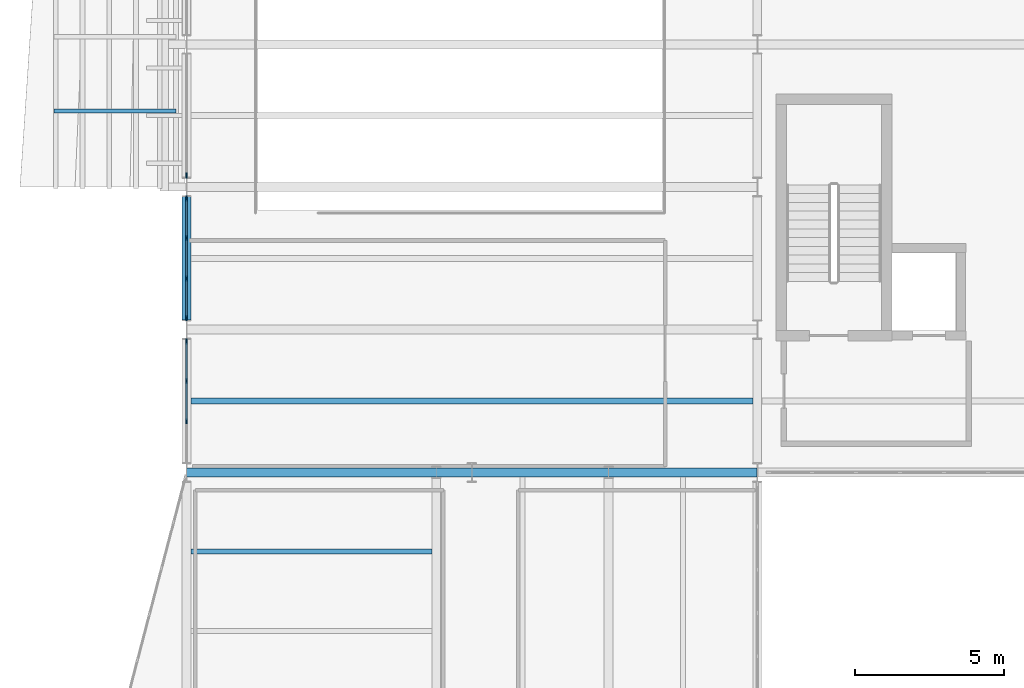
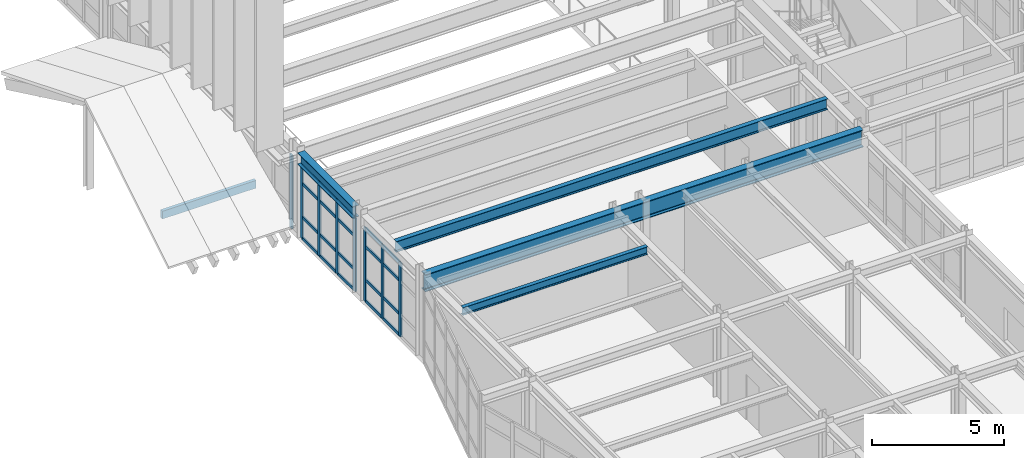
# One storey, part 37 of 99: 29 members, 4 beams, 3 elements without a shape of their own.
"""IFC4 building model written with IfcOpenShell, lengths in metres."""

from ifc_helpers import new_model, si_unit, direction, frame, origin, origin_2d, place, context, subcontext, project, spatial, rectangle, i_section, extrude, material, layer, layer_set, material_profile, profile_set, type_object, element, aggregate, save


model = new_model("IFC4")

# Units and contexts
model_context = context("Model", 3, precision=1e-05, world=origin(), true_north=direction((0.0, 1.0)))
body_context = subcontext(model_context, "Body", "Model", "MODEL_VIEW")
ifc_project = project(units=[si_unit("LENGTHUNIT", "METRE"), si_unit("AREAUNIT", "SQUARE_METRE"), si_unit("VOLUMEUNIT", "CUBIC_METRE"), si_unit("PLANEANGLEUNIT", "RADIAN"), si_unit("MASSUNIT", "GRAM", prefix="KILO")], contexts=[model_context])

# Site, building, storey
site_placement = place(None, origin())
site = spatial("IfcSite", under=ifc_project, at=site_placement, CompositionType="ELEMENT")
building_placement = place(site_placement, origin())
building = spatial("IfcBuilding", under=site, at=building_placement, Name="Nordkorset Police Headquarters", CompositionType="ELEMENT")
storey_placement = place(building_placement, frame((0.0, 0.0, 5.25)))
storey = spatial("IfcBuildingStorey", under=building, at=storey_placement, Name="L01", CompositionType="ELEMENT", Elevation=5.25)

# Beams
ifc_material_1 = material(Name="Steel S355J2", Category="steel")
ifc_material_profile_1 = material_profile(ifc_material_1, i_section(OverallWidth=0.169921875, OverallDepth=0.360107421875, WebThickness=0.008056640625, FlangeThickness=0.0126953125, FilletRadius=0.01806640625, at=origin_2d()), Name="IPE 360")
ifc_profile_set_1 = profile_set([ifc_material_profile_1], Name="Steel S355J2")
beam_type_1 = type_object("IfcBeamType", Name="Beam_IPE_360", PredefinedType="BEAM", material=ifc_profile_set_1)
beam_1_placement = place(storey_placement, frame((0.14990234375, 80.533447265625, 3.780029296875), z_axis=(1.0, 0.0, 0.0), x_axis=(0.0, 1.0, 0.0)))
element("IfcBeam", 1, at=beam_1_placement, inside=storey, type_object=beam_type_1, Name="Composite Floor Beam V3 L01 0-5-2", PredefinedType="BEAM", context=body_context, shape_type="SweptSolid", body=[
    extrude(i_section(OverallWidth=0.169921875, OverallDepth=0.360107421875, WebThickness=0.008056640625, FlangeThickness=0.0126953125, FilletRadius=0.01806640625, at=origin_2d()), origin(), (0.0, 0.0, 1.0), 8.10009765625),
])
ifc_material_2 = material(Name="Steel S355J2", Category="steel")
ifc_material_profile_2 = material_profile(ifc_material_2, i_section(OverallWidth=0.199951171875, OverallDepth=0.5, WebThickness=0.01025390625, FlangeThickness=0.01611328125, FilletRadius=0.02099609375, at=origin_2d()), Name="IPE 500")
ifc_profile_set_2 = profile_set([ifc_material_profile_2], Name="Steel S355J2")
beam_type_2 = type_object("IfcBeamType", Name="Beam_IPE_500", PredefinedType="BEAM", material=ifc_profile_set_2)
beam_2_placement = place(storey_placement, frame((0.14990234375, 85.60009765625, 3.7099609375), z_axis=(1.0, 0.0, 0.0), x_axis=(0.0, 1.0, 0.0)))
element("IfcBeam", 2, at=beam_2_placement, inside=storey, type_object=beam_type_2, Name="Composite Floor Beam V1 L01 0-0-1", PredefinedType="BEAM", context=body_context, shape_type="SweptSolid", body=[
    extrude(i_section(OverallWidth=0.199951171875, OverallDepth=0.5, WebThickness=0.01025390625, FlangeThickness=0.01611328125, FilletRadius=0.02099609375, at=origin_2d()), origin(), (0.0, 0.0, 1.0), 18.900146484375),
])

# Curtain wall, members
ifc_material_3 = material(Name="Aluminium alloy AW-6060", Category="aluminium")
ifc_layer = layer(ifc_material_3, 0.179931640625, Name="Aluminium alloy AW-6060")
ifc_layer_set = layer_set([ifc_layer], Name="Aluminium alloy AW-6060")
curtain_wall_type = type_object("IfcCurtainWallType", Name="CW_Unit_408x340", PredefinedType="USERDEFINED", material=ifc_layer_set)
curtain_wall_1_placement = place(storey_placement, origin())
curtain_wall_1 = element("IfcCurtainWall", 3, at=curtain_wall_1_placement, inside=storey, type_object=curtain_wall_type, Name="Unitised Curtain Wall L01 V1W-0", ObjectType="UNITISED CURTAIN WALL", PredefinedType="USERDEFINED")
ifc_material_4 = material(Name="Aluminium alloy AW-6060", Category="aluminium")
ifc_material_profile_3 = material_profile(ifc_material_4, rectangle(XDim=0.06494140625, YDim=0.179931640625, at=origin_2d()), Name="ALU MULL 65x180")
ifc_profile_set_3 = profile_set([ifc_material_profile_3], Name="Aluminium alloy AW-6060")
member_type_1 = type_object("IfcMemberType", Name="CW_Mullion_65x180", PredefinedType="MULLION", material=ifc_profile_set_3)
member_1_placement = place(storey_placement, frame((0.0, 84.919921875, 0.0), z_axis=(0.0, 0.0, 1.0), x_axis=(-1.0, 0.0, 0.0)))
member_1 = element("IfcMember", 4, at=member_1_placement, type_object=member_type_1, Name="CW-75 mullion 2", PredefinedType="MULLION", context=body_context, shape_type="SweptSolid", body=[
    extrude(rectangle(XDim=0.06494140625, YDim=0.179931640625, at=origin_2d()), origin(), (0.0, 0.0, 1.0), 3.39990234375),
])
member_2_placement = place(storey_placement, frame((0.0, 86.280029296875, 0.0), z_axis=(0.0, 0.0, 1.0), x_axis=(-1.0, 0.0, 0.0)))
member_2 = element("IfcMember", 5, at=member_2_placement, type_object=member_type_1, Name="CW-75 mullion 3", PredefinedType="MULLION", context=body_context, shape_type="SweptSolid", body=[
    extrude(rectangle(XDim=0.06494140625, YDim=0.179931640625, at=origin_2d()), origin(), (0.0, 0.0, 1.0), 3.39990234375),
])
member_3_placement = place(storey_placement, frame((0.0, 87.607421875, 0.0), z_axis=(0.0, 0.0, 1.0), x_axis=(-1.0, 0.0, 0.0)))
member_3 = element("IfcMember", 6, at=member_3_placement, type_object=member_type_1, Name="CW-75 mullion 4", PredefinedType="MULLION", context=body_context, shape_type="SweptSolid", body=[
    extrude(rectangle(XDim=0.06494140625, YDim=0.179931640625, at=origin_2d()), origin(), (0.0, 0.0, 1.0), 3.39990234375),
])

curtain_wall_2_placement = place(storey_placement, origin())
curtain_wall_2 = element("IfcCurtainWall", 7, at=curtain_wall_2_placement, inside=storey, type_object=curtain_wall_type, Name="Unitised Curtain Wall L01 V1W-1", ObjectType="UNITISED CURTAIN WALL", PredefinedType="USERDEFINED")
member_4_placement = place(storey_placement, frame((0.0, 88.392578125, 0.0), z_axis=(0.0, 0.0, 1.0), x_axis=(-1.0, 0.0, 0.0)))
member_4 = element("IfcMember", 8, at=member_4_placement, type_object=member_type_1, Name="CW-75 mullion 1", PredefinedType="MULLION", context=body_context, shape_type="SweptSolid", body=[
    extrude(rectangle(XDim=0.06494140625, YDim=0.179931640625, at=origin_2d()), origin(), (0.0, 0.0, 1.0), 3.39990234375),
])
member_5_placement = place(storey_placement, frame((0.0, 89.719970703125, 0.0), z_axis=(0.0, 0.0, 1.0), x_axis=(-1.0, 0.0, 0.0)))
member_5 = element("IfcMember", 9, at=member_5_placement, type_object=member_type_1, Name="CW-75 mullion 2", PredefinedType="MULLION", context=body_context, shape_type="SweptSolid", body=[
    extrude(rectangle(XDim=0.06494140625, YDim=0.179931640625, at=origin_2d()), origin(), (0.0, 0.0, 1.0), 3.39990234375),
])
member_6_placement = place(storey_placement, frame((0.0, 91.080078125, 0.0), z_axis=(0.0, 0.0, 1.0), x_axis=(-1.0, 0.0, 0.0)))
member_6 = element("IfcMember", 10, at=member_6_placement, type_object=member_type_1, Name="CW-75 mullion 3", PredefinedType="MULLION", context=body_context, shape_type="SweptSolid", body=[
    extrude(rectangle(XDim=0.06494140625, YDim=0.179931640625, at=origin_2d()), origin(), (0.0, 0.0, 1.0), 3.39990234375),
])
member_7_placement = place(storey_placement, frame((0.0, 92.407470703125, 0.0), z_axis=(0.0, 0.0, 1.0), x_axis=(-1.0, 0.0, 0.0)))
member_7 = element("IfcMember", 11, at=member_7_placement, type_object=member_type_1, Name="CW-75 mullion 4", PredefinedType="MULLION", context=body_context, shape_type="SweptSolid", body=[
    extrude(rectangle(XDim=0.06494140625, YDim=0.179931640625, at=origin_2d()), origin(), (0.0, 0.0, 1.0), 3.39990234375),
])

# Curtain wall, member
curtain_wall_3_placement = place(storey_placement, origin())
curtain_wall_3 = element("IfcCurtainWall", 12, at=curtain_wall_3_placement, inside=storey, type_object=curtain_wall_type, Name="Unitised Curtain Wall L01 V1W-2", ObjectType="UNITISED CURTAIN WALL", PredefinedType="USERDEFINED")
member_8_placement = place(storey_placement, frame((0.0, 93.1923828125, 0.0), z_axis=(0.0, 0.0, 1.0), x_axis=(-1.0, 0.0, 0.0)))
member_8 = element("IfcMember", 13, at=member_8_placement, type_object=member_type_1, Name="CW-75 mullion 1", PredefinedType="MULLION", context=body_context, shape_type="SweptSolid", body=[
    extrude(rectangle(XDim=0.06494140625, YDim=0.179931640625, at=origin_2d()), origin(), (0.0, 0.0, 1.0), 3.39990234375),
])
aggregate(curtain_wall_3, [member_8])

# Member
ifc_material_5 = material(Name="Aluminium alloy AW-6060", Category="aluminium")
ifc_material_profile_4 = material_profile(ifc_material_5, rectangle(XDim=0.06494140625, YDim=0.139892578125, at=origin_2d()), Name="ALU TRAN 65x140")
ifc_profile_set_4 = profile_set([ifc_material_profile_4], Name="Aluminium alloy AW-6060")
member_type_2 = type_object("IfcMemberType", Name="CW_Transom_65x140", PredefinedType="USERDEFINED", material=ifc_profile_set_4)
member_9_placement = place(storey_placement, frame((0.0, 84.952392578125, 0.032470703125), z_axis=(0.0, 1.0, 0.0), x_axis=(-1.0, 0.0, 0.0)))
member_9 = element("IfcMember", 14, at=member_9_placement, type_object=member_type_2, Name="CW-75 transom 2.1", ObjectType="TRANSOM", PredefinedType="USERDEFINED", context=body_context, shape_type="SweptSolid", body=[
    extrude(rectangle(XDim=0.06494140625, YDim=0.139892578125, at=origin_2d()), origin(), (0.0, 0.0, 1.0), 1.295166015625),
])

member_10_placement = place(storey_placement, frame((0.0, 84.952392578125, 1.0), z_axis=(0.0, 1.0, 0.0), x_axis=(-1.0, 0.0, 0.0)))
member_10 = element("IfcMember", 15, at=member_10_placement, type_object=member_type_2, Name="CW-75 transom 2.2", ObjectType="TRANSOM", PredefinedType="USERDEFINED", context=body_context, shape_type="SweptSolid", body=[
    extrude(rectangle(XDim=0.06494140625, YDim=0.139892578125, at=origin_2d()), origin(), (0.0, 0.0, 1.0), 1.295166015625),
])

member_11_placement = place(storey_placement, frame((0.0, 84.952392578125, 2.550048828125), z_axis=(0.0, 1.0, 0.0), x_axis=(-1.0, 0.0, 0.0)))
member_11 = element("IfcMember", 16, at=member_11_placement, type_object=member_type_2, Name="CW-75 transom 2.3", ObjectType="TRANSOM", PredefinedType="USERDEFINED", context=body_context, shape_type="SweptSolid", body=[
    extrude(rectangle(XDim=0.06494140625, YDim=0.139892578125, at=origin_2d()), origin(), (0.0, 0.0, 1.0), 1.295166015625),
])

member_12_placement = place(storey_placement, frame((0.0, 84.952392578125, 3.367431640625), z_axis=(0.0, 1.0, 0.0), x_axis=(-1.0, 0.0, 0.0)))
member_12 = element("IfcMember", 17, at=member_12_placement, type_object=member_type_2, Name="CW-75 transom 2.4", ObjectType="TRANSOM", PredefinedType="USERDEFINED", context=body_context, shape_type="SweptSolid", body=[
    extrude(rectangle(XDim=0.06494140625, YDim=0.139892578125, at=origin_2d()), origin(), (0.0, 0.0, 1.0), 1.295166015625),
])

member_13_placement = place(storey_placement, frame((0.0, 86.3125, 0.032470703125), z_axis=(0.0, 1.0, 0.0), x_axis=(-1.0, 0.0, 0.0)))
member_13 = element("IfcMember", 18, at=member_13_placement, type_object=member_type_2, Name="CW-75 transom 3.1", ObjectType="TRANSOM", PredefinedType="USERDEFINED", context=body_context, shape_type="SweptSolid", body=[
    extrude(rectangle(XDim=0.06494140625, YDim=0.139892578125, at=origin_2d()), origin(), (0.0, 0.0, 1.0), 1.262451171875),
])

member_14_placement = place(storey_placement, frame((0.0, 86.3125, 1.0), z_axis=(0.0, 1.0, 0.0), x_axis=(-1.0, 0.0, 0.0)))
member_14 = element("IfcMember", 19, at=member_14_placement, type_object=member_type_2, Name="CW-75 transom 3.2", ObjectType="TRANSOM", PredefinedType="USERDEFINED", context=body_context, shape_type="SweptSolid", body=[
    extrude(rectangle(XDim=0.06494140625, YDim=0.139892578125, at=origin_2d()), origin(), (0.0, 0.0, 1.0), 1.262451171875),
])

member_15_placement = place(storey_placement, frame((0.0, 86.3125, 2.550048828125), z_axis=(0.0, 1.0, 0.0), x_axis=(-1.0, 0.0, 0.0)))
member_15 = element("IfcMember", 20, at=member_15_placement, type_object=member_type_2, Name="CW-75 transom 3.3", ObjectType="TRANSOM", PredefinedType="USERDEFINED", context=body_context, shape_type="SweptSolid", body=[
    extrude(rectangle(XDim=0.06494140625, YDim=0.139892578125, at=origin_2d()), origin(), (0.0, 0.0, 1.0), 1.262451171875),
])

member_16_placement = place(storey_placement, frame((0.0, 86.3125, 3.367431640625), z_axis=(0.0, 1.0, 0.0), x_axis=(-1.0, 0.0, 0.0)))
member_16 = element("IfcMember", 21, at=member_16_placement, type_object=member_type_2, Name="CW-75 transom 3.4", ObjectType="TRANSOM", PredefinedType="USERDEFINED", context=body_context, shape_type="SweptSolid", body=[
    extrude(rectangle(XDim=0.06494140625, YDim=0.139892578125, at=origin_2d()), origin(), (0.0, 0.0, 1.0), 1.262451171875),
])

aggregate(curtain_wall_1, [member_1, member_2, member_3, member_9, member_10, member_11, member_12, member_13, member_14, member_15, member_16])

member_17_placement = place(storey_placement, frame((0.0, 88.425048828125, 0.032470703125), z_axis=(0.0, 1.0, 0.0), x_axis=(-1.0, 0.0, 0.0)))
member_17 = element("IfcMember", 22, at=member_17_placement, type_object=member_type_2, Name="CW-75 transom 1.1", ObjectType="TRANSOM", PredefinedType="USERDEFINED", context=body_context, shape_type="SweptSolid", body=[
    extrude(rectangle(XDim=0.06494140625, YDim=0.139892578125, at=origin_2d()), origin(), (0.0, 0.0, 1.0), 1.262451171875),
])

member_18_placement = place(storey_placement, frame((0.0, 88.425048828125, 1.0), z_axis=(0.0, 1.0, 0.0), x_axis=(-1.0, 0.0, 0.0)))
member_18 = element("IfcMember", 23, at=member_18_placement, type_object=member_type_2, Name="CW-75 transom 1.2", ObjectType="TRANSOM", PredefinedType="USERDEFINED", context=body_context, shape_type="SweptSolid", body=[
    extrude(rectangle(XDim=0.06494140625, YDim=0.139892578125, at=origin_2d()), origin(), (0.0, 0.0, 1.0), 1.262451171875),
])

member_19_placement = place(storey_placement, frame((0.0, 88.425048828125, 2.550048828125), z_axis=(0.0, 1.0, 0.0), x_axis=(-1.0, 0.0, 0.0)))
member_19 = element("IfcMember", 24, at=member_19_placement, type_object=member_type_2, Name="CW-75 transom 1.3", ObjectType="TRANSOM", PredefinedType="USERDEFINED", context=body_context, shape_type="SweptSolid", body=[
    extrude(rectangle(XDim=0.06494140625, YDim=0.139892578125, at=origin_2d()), origin(), (0.0, 0.0, 1.0), 1.262451171875),
])

member_20_placement = place(storey_placement, frame((0.0, 88.425048828125, 3.367431640625), z_axis=(0.0, 1.0, 0.0), x_axis=(-1.0, 0.0, 0.0)))
member_20 = element("IfcMember", 25, at=member_20_placement, type_object=member_type_2, Name="CW-75 transom 1.4", ObjectType="TRANSOM", PredefinedType="USERDEFINED", context=body_context, shape_type="SweptSolid", body=[
    extrude(rectangle(XDim=0.06494140625, YDim=0.139892578125, at=origin_2d()), origin(), (0.0, 0.0, 1.0), 1.262451171875),
])

member_21_placement = place(storey_placement, frame((0.0, 89.75244140625, 0.032470703125), z_axis=(0.0, 1.0, 0.0), x_axis=(-1.0, 0.0, 0.0)))
member_21 = element("IfcMember", 26, at=member_21_placement, type_object=member_type_2, Name="CW-75 transom 2.1", ObjectType="TRANSOM", PredefinedType="USERDEFINED", context=body_context, shape_type="SweptSolid", body=[
    extrude(rectangle(XDim=0.06494140625, YDim=0.139892578125, at=origin_2d()), origin(), (0.0, 0.0, 1.0), 1.295166015625),
])

member_22_placement = place(storey_placement, frame((0.0, 89.75244140625, 1.0), z_axis=(0.0, 1.0, 0.0), x_axis=(-1.0, 0.0, 0.0)))
member_22 = element("IfcMember", 27, at=member_22_placement, type_object=member_type_2, Name="CW-75 transom 2.2", ObjectType="TRANSOM", PredefinedType="USERDEFINED", context=body_context, shape_type="SweptSolid", body=[
    extrude(rectangle(XDim=0.06494140625, YDim=0.139892578125, at=origin_2d()), origin(), (0.0, 0.0, 1.0), 1.295166015625),
])

member_23_placement = place(storey_placement, frame((0.0, 89.75244140625, 2.550048828125), z_axis=(0.0, 1.0, 0.0), x_axis=(-1.0, 0.0, 0.0)))
member_23 = element("IfcMember", 28, at=member_23_placement, type_object=member_type_2, Name="CW-75 transom 2.3", ObjectType="TRANSOM", PredefinedType="USERDEFINED", context=body_context, shape_type="SweptSolid", body=[
    extrude(rectangle(XDim=0.06494140625, YDim=0.139892578125, at=origin_2d()), origin(), (0.0, 0.0, 1.0), 1.295166015625),
])

member_24_placement = place(storey_placement, frame((0.0, 89.75244140625, 3.367431640625), z_axis=(0.0, 1.0, 0.0), x_axis=(-1.0, 0.0, 0.0)))
member_24 = element("IfcMember", 29, at=member_24_placement, type_object=member_type_2, Name="CW-75 transom 2.4", ObjectType="TRANSOM", PredefinedType="USERDEFINED", context=body_context, shape_type="SweptSolid", body=[
    extrude(rectangle(XDim=0.06494140625, YDim=0.139892578125, at=origin_2d()), origin(), (0.0, 0.0, 1.0), 1.295166015625),
])

member_25_placement = place(storey_placement, frame((0.0, 91.112548828125, 0.032470703125), z_axis=(0.0, 1.0, 0.0), x_axis=(-1.0, 0.0, 0.0)))
member_25 = element("IfcMember", 30, at=member_25_placement, type_object=member_type_2, Name="CW-75 transom 3.1", ObjectType="TRANSOM", PredefinedType="USERDEFINED", context=body_context, shape_type="SweptSolid", body=[
    extrude(rectangle(XDim=0.06494140625, YDim=0.139892578125, at=origin_2d()), origin(), (0.0, 0.0, 1.0), 1.262451171875),
])

member_26_placement = place(storey_placement, frame((0.0, 91.112548828125, 1.0), z_axis=(0.0, 1.0, 0.0), x_axis=(-1.0, 0.0, 0.0)))
member_26 = element("IfcMember", 31, at=member_26_placement, type_object=member_type_2, Name="CW-75 transom 3.2", ObjectType="TRANSOM", PredefinedType="USERDEFINED", context=body_context, shape_type="SweptSolid", body=[
    extrude(rectangle(XDim=0.06494140625, YDim=0.139892578125, at=origin_2d()), origin(), (0.0, 0.0, 1.0), 1.262451171875),
])

member_27_placement = place(storey_placement, frame((0.0, 91.112548828125, 2.550048828125), z_axis=(0.0, 1.0, 0.0), x_axis=(-1.0, 0.0, 0.0)))
member_27 = element("IfcMember", 32, at=member_27_placement, type_object=member_type_2, Name="CW-75 transom 3.3", ObjectType="TRANSOM", PredefinedType="USERDEFINED", context=body_context, shape_type="SweptSolid", body=[
    extrude(rectangle(XDim=0.06494140625, YDim=0.139892578125, at=origin_2d()), origin(), (0.0, 0.0, 1.0), 1.262451171875),
])

member_28_placement = place(storey_placement, frame((0.0, 91.112548828125, 3.367431640625), z_axis=(0.0, 1.0, 0.0), x_axis=(-1.0, 0.0, 0.0)))
member_28 = element("IfcMember", 33, at=member_28_placement, type_object=member_type_2, Name="CW-75 transom 3.4", ObjectType="TRANSOM", PredefinedType="USERDEFINED", context=body_context, shape_type="SweptSolid", body=[
    extrude(rectangle(XDim=0.06494140625, YDim=0.139892578125, at=origin_2d()), origin(), (0.0, 0.0, 1.0), 1.262451171875),
])

aggregate(curtain_wall_2, [member_4, member_5, member_6, member_7, member_17, member_18, member_19, member_20, member_21, member_22, member_23, member_24, member_25, member_26, member_27, member_28])

# Beams
ifc_material_6 = material(Name="Steel S355J2", Category="steel")
ifc_material_profile_5 = material_profile(ifc_material_6, i_section(OverallWidth=0.300048828125, OverallDepth=0.5400390625, WebThickness=0.012451171875, FlangeThickness=0.02392578125, FilletRadius=0.027099609375, at=origin_2d()), Name="HEA 550")
ifc_profile_set_5 = profile_set([ifc_material_profile_5], Name="Steel S355J2")
beam_type_3 = type_object("IfcBeamType", Name="Girder_HEA_550", PredefinedType="USERDEFINED", material=ifc_profile_set_5)
beam_3_placement = place(storey_placement, frame((0.0, 88.324951171875, 3.68994140625), z_axis=(0.0, 1.0, 0.0), x_axis=(-1.0, 0.0, 0.0)))
element("IfcBeam", 34, at=beam_3_placement, inside=storey, type_object=beam_type_3, Name="Girder V1 L01 GY-0-1", ObjectType="GIRDER", PredefinedType="USERDEFINED", context=body_context, shape_type="SweptSolid", body=[
    extrude(i_section(OverallWidth=0.300048828125, OverallDepth=0.5400390625, WebThickness=0.012451171875, FlangeThickness=0.02392578125, FilletRadius=0.027099609375, at=origin_2d()), origin(), (0.0, 0.0, 1.0), 4.150146484375),
])
ifc_material_7 = material(Name="Steel S355J2", Category="steel")
ifc_material_profile_6 = material_profile(ifc_material_7, i_section(OverallWidth=0.300048828125, OverallDepth=0.800048828125, WebThickness=0.017578125, FlangeThickness=0.032958984375, FilletRadius=0.030029296875, at=origin_2d()), Name="HEB 800")
ifc_profile_set_6 = profile_set([ifc_material_profile_6], Name="Steel S355J2")
beam_type_4 = type_object("IfcBeamType", Name="Girder_HEB_800", PredefinedType="USERDEFINED", material=ifc_profile_set_6)
beam_4_placement = place(storey_placement, frame((0.008056640625, 83.199951171875, 3.56005859375), z_axis=(1.0, 0.0, 0.0), x_axis=(0.0, 1.0, 0.0)))
element("IfcBeam", 35, at=beam_4_placement, inside=storey, type_object=beam_type_4, Name="Girder V1 L01 GX-0-0", ObjectType="GIRDER", PredefinedType="USERDEFINED", context=body_context, shape_type="SweptSolid", body=[
    extrude(i_section(OverallWidth=0.300048828125, OverallDepth=0.800048828125, WebThickness=0.017578125, FlangeThickness=0.032958984375, FilletRadius=0.030029296875, at=origin_2d()), origin(), (0.0, 0.0, 1.0), 19.183837890625),
])

# Member
ifc_material_8 = material(Name="Glulam GL30c", Category="wood")
ifc_material_profile_7 = material_profile(ifc_material_8, rectangle(XDim=0.139892578125, YDim=0.360107421875, at=origin_2d()), Name="GL30c 140x360")
ifc_profile_set_7 = profile_set([ifc_material_profile_7], Name="Glulam GL30c")
member_type_3 = type_object("IfcMemberType", Name="Purlin_GL30c_140x360", PredefinedType="PURLIN", material=ifc_profile_set_7)
member_29_placement = place(storey_placement, frame((-4.449951171875, 95.3525390625, 0.862548828125), z_axis=(1.0, 0.0, 0.0), x_axis=(0.0, 1.0, 0.0)))
element("IfcMember", 36, at=member_29_placement, inside=storey, type_object=member_type_3, Name="Entrance Canopy Glulam Soffit Purlin S-1", PredefinedType="PURLIN", context=body_context, shape_type="SweptSolid", body=[
    extrude(rectangle(XDim=0.139892578125, YDim=0.360107421875, at=origin_2d()), origin(), (0.0, 0.0, 1.0), 4.099853515625),
])

save(model, "model.ifc")
